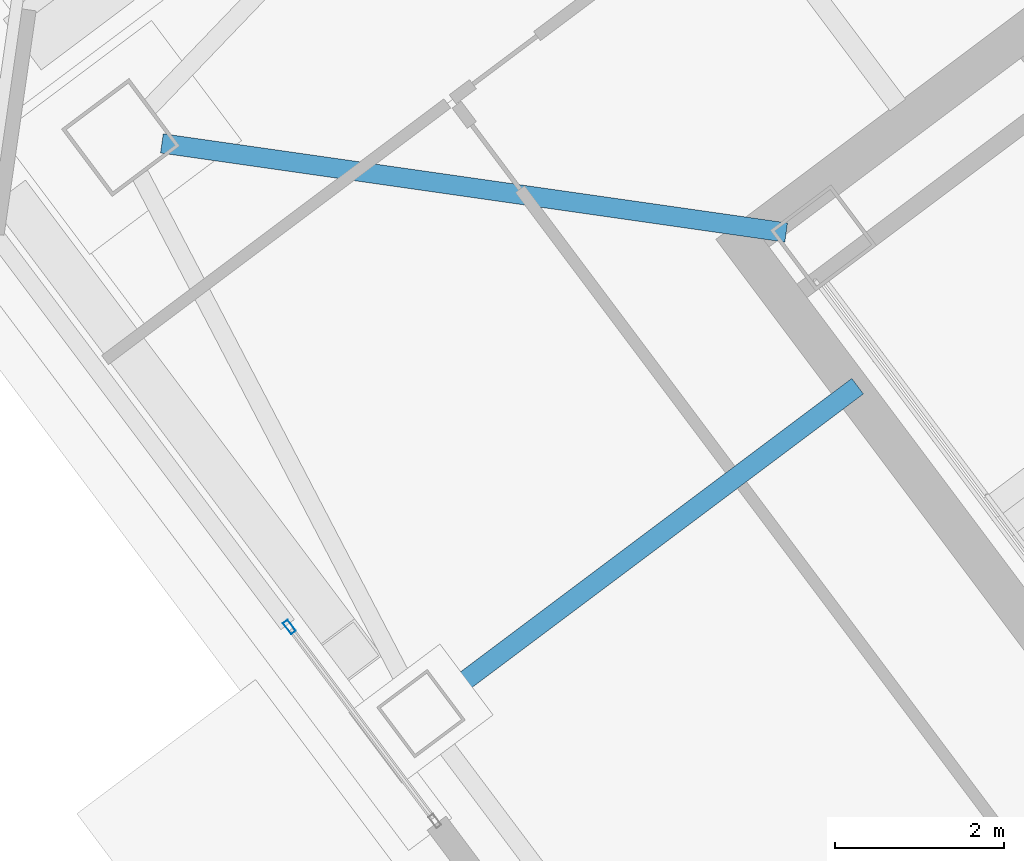
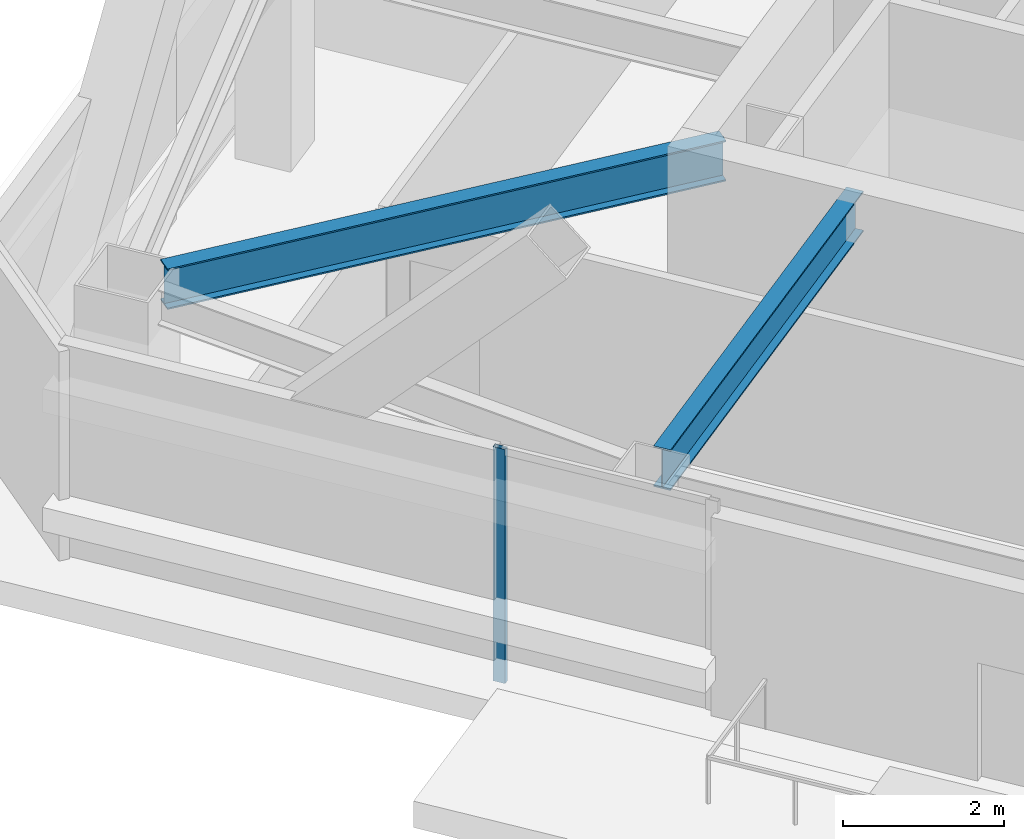
# One storey, part 18 of 39: 2 beams, 1 member, 1 element without a shape of its own.
"""IFC4 building model written with IfcOpenShell, lengths in metres."""

from ifc_helpers import new_model, si_unit, direction, frame, origin, origin_2d, place, context, subcontext, project, spatial, hollow_rectangle, i_section, extrude, material, material_profile, profile_set, type_object, element, aggregate, save


model = new_model("IFC4")

# Units and contexts
model_context = context("Model", 3, precision=1e-05, world=origin(), true_north=direction((0.0, 1.0)))
body_context = subcontext(model_context, "Body", "Model", "MODEL_VIEW")
ifc_project = project(units=[si_unit("LENGTHUNIT", "METRE"), si_unit("AREAUNIT", "SQUARE_METRE"), si_unit("VOLUMEUNIT", "CUBIC_METRE"), si_unit("PLANEANGLEUNIT", "RADIAN"), si_unit("MASSUNIT", "GRAM", prefix="KILO")], contexts=[model_context])

# Site, building, storey
site_placement = place(None, origin())
site = spatial("IfcSite", under=ifc_project, at=site_placement, CompositionType="ELEMENT")
building_placement = place(site_placement, origin())
building = spatial("IfcBuilding", under=site, at=building_placement, Name="Tashvorn Skyway Center", CompositionType="ELEMENT")
storey_placement = place(building_placement, frame((0.0, 0.0, 232.60009765625)))
storey = spatial("IfcBuildingStorey", under=building, at=storey_placement, Name="L63", CompositionType="ELEMENT", Elevation=232.60009765625)

# Beams
ifc_material_1 = material(Name="Steel ASTM A992 Grade 50", Category="steel")
ifc_material_profile_1 = material_profile(ifc_material_1, i_section(OverallWidth=0.22998046875, OverallDepth=0.616943359375, WebThickness=0.01318359375, FlangeThickness=0.022216796875, at=origin_2d()), Name="W24X94")
ifc_profile_set_1 = profile_set([ifc_material_profile_1], Name="Steel ASTM A992 Grade 50")
beam_type = type_object("IfcBeamType", Name="BM-BEAM-W24X94", PredefinedType="BEAM", material=ifc_profile_set_1)
beam_1_placement = place(storey_placement, frame((96.2900390625, 34.530029296875, 3.0615234375), z_axis=(0.989948187102, -0.141430501853, 0.0), x_axis=(0.141430501853, 0.989948187102, 0.0)))
element("IfcBeam", 1, at=beam_1_placement, inside=storey, type_object=beam_type, Name="Tower 2 L63 Primary Floor Girder MC-NW", PredefinedType="BEAM", context=body_context, shape_type="SweptSolid", body=[
    extrude(i_section(OverallWidth=0.22998046875, OverallDepth=0.616943359375, WebThickness=0.01318359375, FlangeThickness=0.022216796875, at=origin_2d()), origin(), (0.0, 0.0, 1.0), 7.474609375),
])
beam_2_placement = place(storey_placement, frame((99.656005859375, 27.991943359375, 3.0615234375), z_axis=(0.799980788524, 0.600025614447, 0.0), x_axis=(-0.600025614447, 0.799980788524, 0.0)))
element("IfcBeam", 2, at=beam_2_placement, inside=storey, type_object=beam_type, Name="Tower 2 L63 Primary Floor Girder FC-W1", PredefinedType="BEAM", context=body_context, shape_type="SweptSolid", body=[
    extrude(i_section(OverallWidth=0.22998046875, OverallDepth=0.616943359375, WebThickness=0.01318359375, FlangeThickness=0.022216796875, at=origin_2d()), origin(), (0.0, 0.0, 1.0), 6.10009765625),
])

# Curtain wall, member
ifc_material_2 = material(Name="Thermally broken bronze-anodized aluminium 6063-T6", Category="aluminium")
curtain_wall_type = type_object("IfcCurtainWallType", Name="CW-CW-Z5", PredefinedType="NOTDEFINED", material=ifc_material_2)
curtain_wall_placement = place(storey_placement, origin())
curtain_wall = element("IfcCurtainWall", 3, at=curtain_wall_placement, inside=storey, type_object=curtain_wall_type, Name="Tower 2 L63 West Curtain Wall R Glazing Group 1", PredefinedType="NOTDEFINED")
ifc_material_profile_2 = material_profile(ifc_material_2, hollow_rectangle(XDim=0.070068359375, YDim=0.1650390625, WallThickness=0.00390625, at=origin_2d()), Name="ALU-MULL-70x165")
ifc_profile_set_2 = profile_set([ifc_material_profile_2], Name="Thermally broken bronze-anodized aluminium 6063-T6")
member_type = type_object("IfcMemberType", Name="CWM-CW-Z5", PredefinedType="MULLION", material=ifc_profile_set_2)
member_placement = place(storey_placement, frame((97.801025390625, 28.798583984375, 0.0), z_axis=(0.0, 0.0, 1.0), x_axis=(-0.80000407695, -0.599994564028, 0.0)))
member = element("IfcMember", 4, at=member_placement, type_object=member_type, Name="CW-Z5 mullion 2", PredefinedType="MULLION", context=body_context, shape_type="SweptSolid", body=[
    extrude(hollow_rectangle(XDim=0.070068359375, YDim=0.1650390625, WallThickness=0.00390625, at=origin_2d()), origin(), (0.0, 0.0, 1.0), 3.5498046875),
])
aggregate(curtain_wall, [member])

save(model, "model.ifc")
